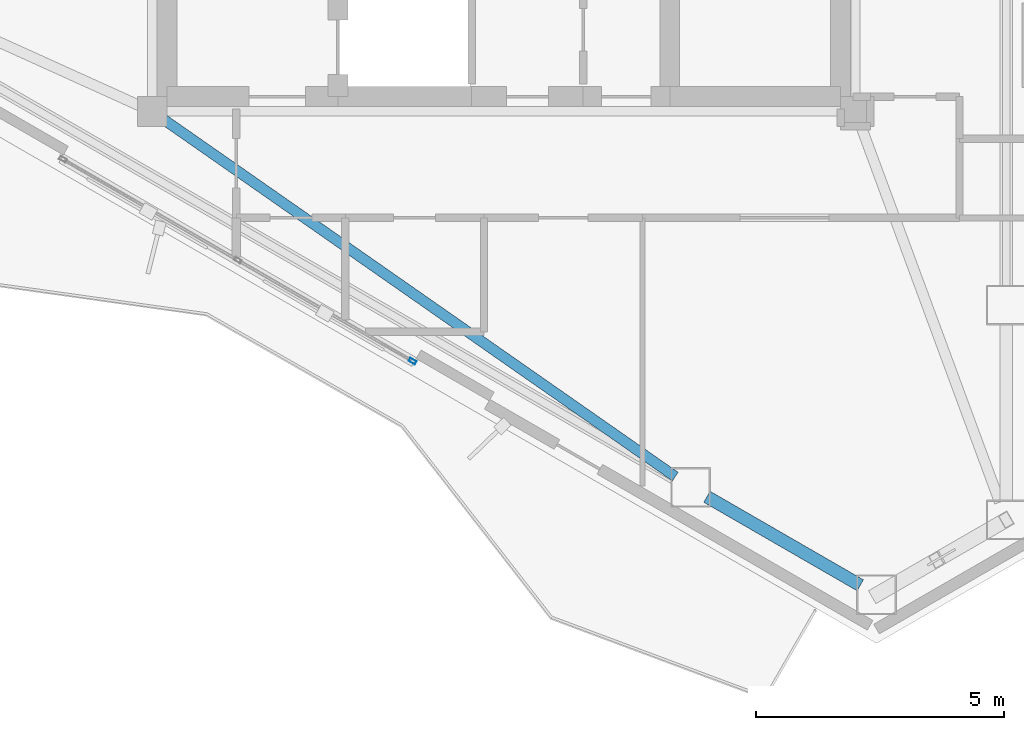
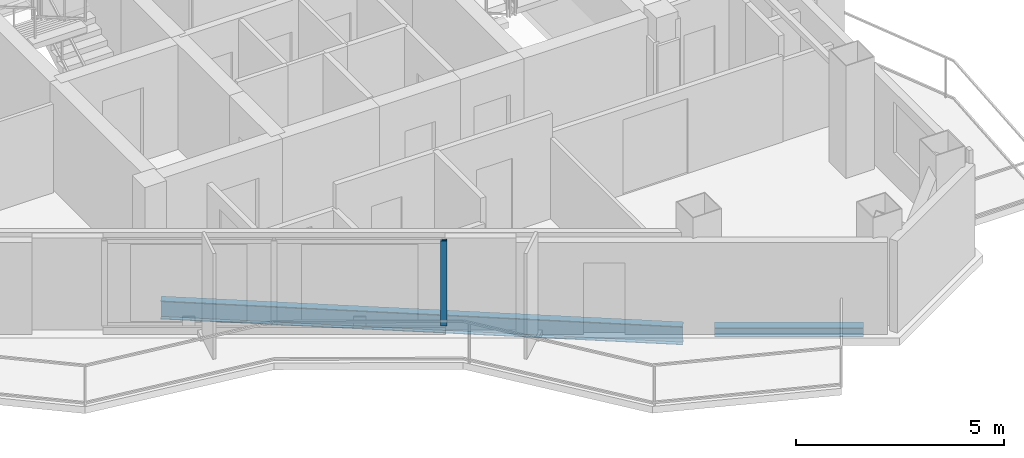
# One storey, part 5 of 18: 2 beams, 1 member, 1 element without a shape of its own.
"""IFC4 building model written with IfcOpenShell, lengths in metres."""

from ifc_helpers import new_model, si_unit, direction, frame, origin, origin_2d, place, context, subcontext, project, spatial, hollow_rectangle, i_section, extrude, material, layer, layer_set, material_profile, profile_set, type_object, element, aggregate, save


model = new_model("IFC4")

# Units and contexts
model_context = context("Model", 3, precision=1e-05, world=origin(), true_north=direction((0.0, 1.0)))
body_context = subcontext(model_context, "Body", "Model", "MODEL_VIEW")
ifc_project = project(units=[si_unit("LENGTHUNIT", "METRE"), si_unit("AREAUNIT", "SQUARE_METRE"), si_unit("VOLUMEUNIT", "CUBIC_METRE"), si_unit("PLANEANGLEUNIT", "RADIAN"), si_unit("MASSUNIT", "GRAM", prefix="KILO")], contexts=[model_context])

# Site, building, storey
site_placement = place(None, origin())
site = spatial("IfcSite", under=ifc_project, at=site_placement, CompositionType="ELEMENT")
building_placement = place(site_placement, origin())
building = spatial("IfcBuilding", under=site, at=building_placement, Name="Mersakhor Tower and Convention Hall", CompositionType="ELEMENT")
storey_placement = place(building_placement, frame((0.0, 0.0, 239.699951171875)))
storey = spatial("IfcBuildingStorey", under=building, at=storey_placement, Name="L67", CompositionType="ELEMENT", Elevation=239.699951171875)

# Beams
ifc_material_1 = material(Name="Steel S355", Category="steel")
ifc_material_profile_1 = material_profile(ifc_material_1, i_section(OverallWidth=0.2099609375, OverallDepth=0.53662109375, WebThickness=0.0107421875, FlangeThickness=0.017333984375, at=origin_2d()), Name="UB 533x210x101")
ifc_profile_set_1 = profile_set([ifc_material_profile_1], Name="Steel S355")
beam_type_1 = type_object("IfcBeamType", Name="BM-FB-533", PredefinedType="BEAM", material=ifc_profile_set_1)
beam_1_placement = place(storey_placement, frame((22.129638671875, 20.289794921875, -0.48828125), z_axis=(0.819954136469, -0.572429221903, 0.0), x_axis=(0.572429221903, 0.819954136469, 0.0)))
element("IfcBeam", 1, at=beam_1_placement, inside=storey, type_object=beam_type_1, Name="L67 Primary Floor Girder FG-5", PredefinedType="BEAM", context=body_context, shape_type="SweptSolid", body=[
    extrude(i_section(OverallWidth=0.2099609375, OverallDepth=0.53662109375, WebThickness=0.0107421875, FlangeThickness=0.017333984375, at=origin_2d()), origin(), (0.0, 0.0, 1.0), 12.598388671875),
])
ifc_material_2 = material(Name="Steel S355", Category="steel")
ifc_material_profile_2 = material_profile(ifc_material_2, i_section(OverallWidth=0.25634765625, OverallDepth=0.26025390625, WebThickness=0.01025390625, FlangeThickness=0.017333984375, at=origin_2d()), Name="UC 254x254x89")
ifc_profile_set_2 = profile_set([ifc_material_profile_2], Name="Steel S355")
beam_type_2 = type_object("IfcBeamType", Name="BM-SPD-UC254", PredefinedType="SPANDREL", material=ifc_profile_set_2)
beam_2_placement = place(storey_placement, frame((36.196044921875, 10.88330078125, -0.35009765625), z_axis=(-0.866002454009, 0.500039748071, 0.0), x_axis=(-0.500039748071, -0.866002454009, 0.0)))
element("IfcBeam", 2, at=beam_2_placement, inside=storey, type_object=beam_type_2, Name="L67 Perimeter Spandrel Beam SPB-09", PredefinedType="SPANDREL", context=body_context, shape_type="SweptSolid", body=[
    extrude(i_section(OverallWidth=0.25634765625, OverallDepth=0.26025390625, WebThickness=0.01025390625, FlangeThickness=0.017333984375, at=origin_2d()), origin(), (0.0, 0.0, 1.0), 3.574462890625),
])

# Curtain wall, member
ifc_material_3 = material(Name="Dark solar low-E aluminium curtain wall", Category="aluminium")
ifc_layer = layer(ifc_material_3, 0.179931640625)
ifc_layer_set = layer_set([ifc_layer], Name="Dark solar low-E aluminium curtain wall")
curtain_wall_type = type_object("IfcCurtainWallType", Name="CW-SYS-03", PredefinedType="USERDEFINED", material=ifc_layer_set)
curtain_wall_placement = place(storey_placement, origin())
curtain_wall = element("IfcCurtainWall", 3, at=curtain_wall_placement, inside=storey, type_object=curtain_wall_type, Name="L67 Dark-Glass Curtain Wall F3-B2", ObjectType="CURTAIN WALL", PredefinedType="USERDEFINED")
ifc_material_4 = material(Name="Anodised aluminium EN AW-6063 T6", Category="aluminium")
ifc_material_profile_3 = material_profile(ifc_material_4, hollow_rectangle(XDim=0.074951171875, YDim=0.14990234375, WallThickness=0.00634765625, at=origin_2d()), Name="RHS 150x75x6.3")
ifc_profile_set_3 = profile_set([ifc_material_profile_3], Name="Anodised aluminium EN AW-6063 T6")
member_type = type_object("IfcMemberType", Name="CWM-150x75", PredefinedType="MULLION", material=ifc_profile_set_3)
member_placement = place(storey_placement, frame((27.158935546875, 15.408203125, 0.199951171875), z_axis=(0.0, 0.0, 1.0), x_axis=(-0.500004411169, -0.86602285698, 0.0)))
member = element("IfcMember", 4, at=member_placement, type_object=member_type, Name="CW-03 mullion 1", PredefinedType="MULLION", context=body_context, shape_type="SweptSolid", body=[
    extrude(hollow_rectangle(XDim=0.074951171875, YDim=0.14990234375, WallThickness=0.00634765625, at=origin_2d()), origin(), (0.0, 0.0, 1.0), 2.5),
])
aggregate(curtain_wall, [member])

save(model, "model.ifc")
